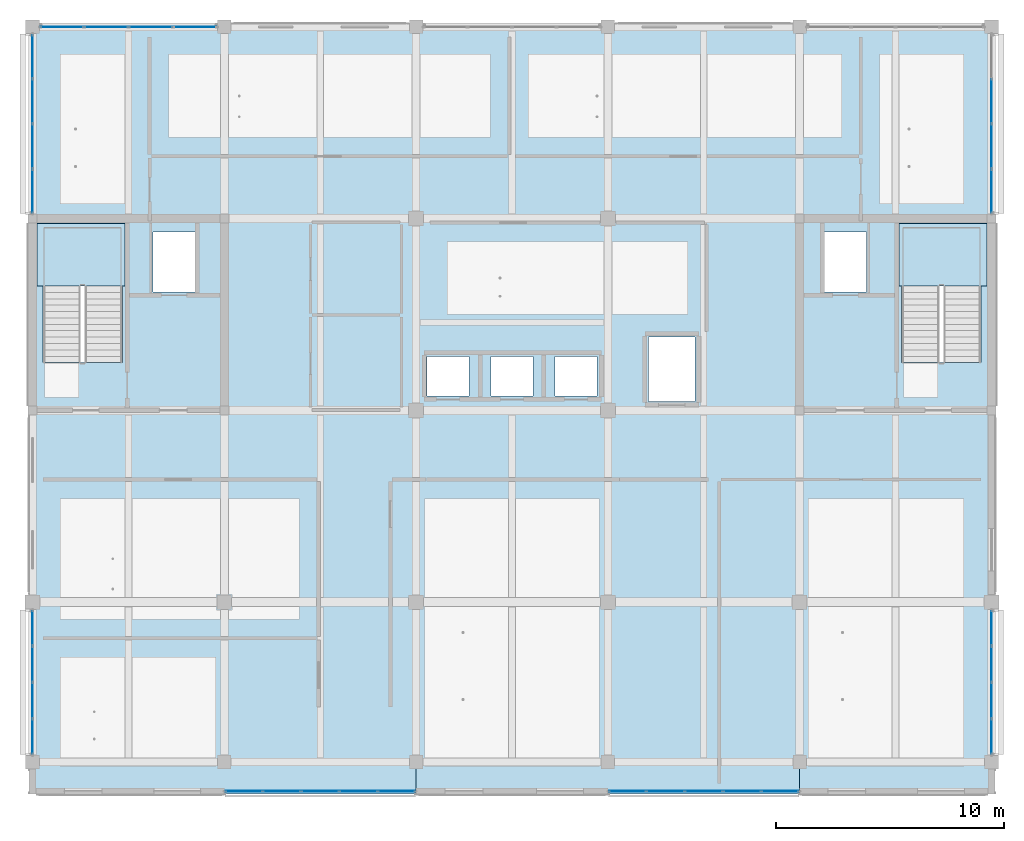
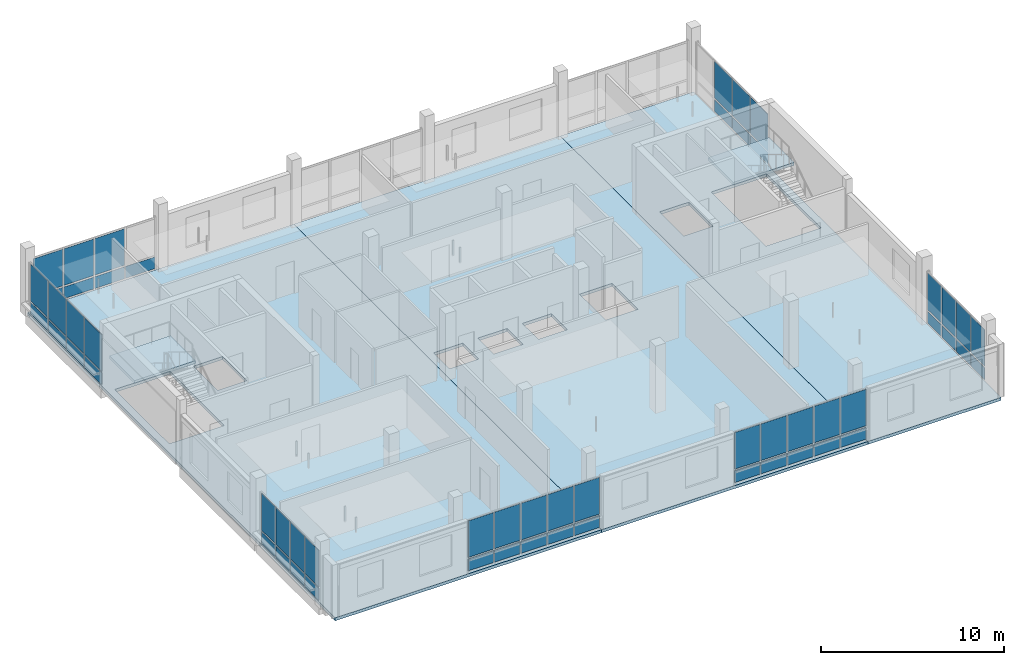
# One storey, part 10 of 30: 57 plates, 5 slabs, 9 elements without a shape of their own.
"""IFC4 building model written with IfcOpenShell, lengths in metres."""

from ifc_helpers import new_model, si_unit, direction, frame, origin, origin_2d, place, context, subcontext, project, spatial, polyline, rectangle, outline, extrude, material, layer, layer_set, type_object, element, aggregate, save


model = new_model("IFC4")

# Units and contexts
model_context = context("Model", 3, precision=1e-05, world=origin(), true_north=direction((0.0, 1.0)))
body_context = subcontext(model_context, "Body", "Model", "MODEL_VIEW")
ifc_project = project(units=[si_unit("LENGTHUNIT", "METRE"), si_unit("AREAUNIT", "SQUARE_METRE"), si_unit("VOLUMEUNIT", "CUBIC_METRE"), si_unit("PLANEANGLEUNIT", "RADIAN"), si_unit("MASSUNIT", "GRAM", prefix="KILO")], contexts=[model_context])

# Site, building, storey
site_placement = place(None, origin())
site = spatial("IfcSite", under=ifc_project, at=site_placement, CompositionType="ELEMENT")
building_placement = place(site_placement, origin())
building = spatial("IfcBuilding", under=site, at=building_placement, Name="Telukmera Botanical Conservatory", CompositionType="ELEMENT")
storey_placement = place(building_placement, frame((0.0, 0.0, 60.0)))
storey = spatial("IfcBuildingStorey", under=building, at=storey_placement, Name="L13", CompositionType="ELEMENT", Elevation=60.0)

# Stair, slab
ifc_material_1 = material(Name="Concrete C40/50", Category="concrete")
stair_type = type_object("IfcStairType", Name="ST-ESC-4500", PredefinedType="HALF_TURN_STAIR", material=ifc_material_1)
stair_1_placement = place(storey_placement, origin())
stair_1 = element("IfcStair", 1, at=stair_1_placement, inside=storey, type_object=stair_type, Name="L13 Protected Escape Stair ST1", PredefinedType="HALF_TURN_STAIR")
ifc_layer_1 = layer(ifc_material_1, 0.199951171875)
ifc_layer_set_1 = layer_set([ifc_layer_1], Name="Concrete C40/50")
slab_type_1 = type_object("IfcSlabType", Name="SL-LAND-200", PredefinedType="LANDING", material=ifc_layer_set_1)
slab_1_placement = place(storey_placement, frame((0.0, 0.0, 2.050048828125)))
slab_1 = element("IfcSlab", 2, at=slab_1_placement, type_object=slab_type_1, Name="ST1 landing 1", PredefinedType="LANDING", context=body_context, shape_type="SweptSolid", body=[
    extrude(outline(polyline([(59.0048828125, 31.449951171875), (62.844970703125, 31.449951171875), (62.844970703125, 34.195068359375), (59.0048828125, 34.195068359375), (59.0048828125, 31.449951171875)])), origin(), (0.0, 0.0, 1.0), 0.199951171875),
])
aggregate(stair_1, [slab_1])

stair_2_placement = place(storey_placement, origin())
stair_2 = element("IfcStair", 3, at=stair_2_placement, inside=storey, type_object=stair_type, Name="L13 Protected Escape Stair ST2", PredefinedType="HALF_TURN_STAIR")
slab_2_placement = place(storey_placement, frame((0.0, 0.0, 2.050048828125)))
slab_2 = element("IfcSlab", 4, at=slab_2_placement, type_object=slab_type_1, Name="ST2 landing 1", PredefinedType="LANDING", context=body_context, shape_type="SweptSolid", body=[
    extrude(outline(polyline([(96.7548828125, 31.449951171875), (100.594970703125, 31.449951171875), (100.594970703125, 34.195068359375), (96.7548828125, 34.195068359375), (96.7548828125, 31.449951171875)])), origin(), (0.0, 0.0, 1.0), 0.199951171875),
])
aggregate(stair_2, [slab_2])

# Slabs
ifc_layer_2 = layer(ifc_material_1, 0.199951171875)
ifc_layer_set_2 = layer_set([ifc_layer_2], Name="Concrete C40/50")
slab_type_2 = type_object("IfcSlabType", Name="Slab_FS20", PredefinedType="FLOOR", material=ifc_layer_set_2)
slab_3_placement = place(storey_placement, frame((0.0, 0.0, -0.199951171875)))
element("IfcSlab", 5, at=slab_3_placement, inside=storey, type_object=slab_type_2, Name="Tower Floor Slab L13 (WEST)", PredefinedType="FLOOR", context=body_context, shape_type="SweptSolid", body=[
    extrude(outline(polyline([(58.800048828125, 9.199951171875), (75.60009765625, 9.199951171875), (75.60009765625, 42.800048828125), (58.800048828125, 42.800048828125), (58.800048828125, 9.199951171875)]), holes=[polyline([(62.72998046875, 28.093017578125), (62.72998046875, 34.050048828125), (59.25, 34.050048828125), (59.25, 28.093017578125), (62.72998046875, 28.093017578125)]), polyline([(64.080078125, 31.179931640625), (65.919921875, 31.179931640625), (65.919921875, 33.820068359375), (64.080078125, 33.820068359375), (64.080078125, 31.179931640625)])]), origin(), (0.0, 0.0, 1.0), 0.199951171875),
])
slab_4_placement = place(storey_placement, frame((0.0, 0.0, -0.199951171875)))
element("IfcSlab", 6, at=slab_4_placement, inside=storey, type_object=slab_type_2, Name="Tower Floor Slab L13 (CENT)", PredefinedType="FLOOR", context=body_context, shape_type="SweptSolid", body=[
    extrude(outline(polyline([(75.60009765625, 9.199951171875), (92.39990234375, 9.199951171875), (92.39990234375, 42.800048828125), (75.60009765625, 42.800048828125), (75.60009765625, 9.199951171875)]), holes=[polyline([(85.780029296875, 26.3798828125), (87.820068359375, 26.3798828125), (87.820068359375, 29.219970703125), (85.780029296875, 29.219970703125), (85.780029296875, 26.3798828125)]), polyline([(76.080078125, 26.6298828125), (77.919921875, 26.6298828125), (77.919921875, 28.3701171875), (76.080078125, 28.3701171875), (76.080078125, 26.6298828125)]), polyline([(78.8798828125, 26.6298828125), (80.719970703125, 26.6298828125), (80.719970703125, 28.3701171875), (78.8798828125, 28.3701171875), (78.8798828125, 26.6298828125)]), polyline([(81.679931640625, 26.6298828125), (83.52001953125, 26.6298828125), (83.52001953125, 28.3701171875), (81.679931640625, 28.3701171875), (81.679931640625, 26.6298828125)])]), origin(), (0.0, 0.0, 1.0), 0.199951171875),
])
slab_5_placement = place(storey_placement, frame((0.0, 0.0, -0.199951171875)))
element("IfcSlab", 7, at=slab_5_placement, inside=storey, type_object=slab_type_2, Name="Tower Floor Slab L13 (EAST)", PredefinedType="FLOOR", context=body_context, shape_type="SweptSolid", body=[
    extrude(outline(polyline([(92.39990234375, 9.199951171875), (100.800048828125, 9.199951171875), (100.800048828125, 42.800048828125), (92.39990234375, 42.800048828125), (92.39990234375, 9.199951171875)]), holes=[polyline([(100.35009765625, 28.093017578125), (100.35009765625, 34.050048828125), (96.8701171875, 34.050048828125), (96.8701171875, 28.093017578125), (100.35009765625, 28.093017578125)]), polyline([(93.47998046875, 31.179931640625), (95.320068359375, 31.179931640625), (95.320068359375, 33.820068359375), (93.47998046875, 33.820068359375), (93.47998046875, 31.179931640625)])]), origin(), (0.0, 0.0, 1.0), 0.199951171875),
])

# Curtain wall, plates
ifc_material_2 = material(Name="Anodised aluminium 6063-T6", Category="aluminium")
ifc_layer_3 = layer(ifc_material_2, 0.179931640625)
ifc_layer_set_3 = layer_set([ifc_layer_3], Name="Anodised aluminium 6063-T6")
curtain_wall_type = type_object("IfcCurtainWallType", Name="Tower Research Laboratory Unitised Curtain Wall", PredefinedType="USERDEFINED", material=ifc_layer_set_3)
curtain_wall_1_placement = place(storey_placement, origin())
curtain_wall_1 = element("IfcCurtainWall", 8, at=curtain_wall_1_placement, inside=storey, type_object=curtain_wall_type, Name="Unitised Curtain Wall CW15 V4:L13:S2", ObjectType="UNITISED CURTAIN WALL", PredefinedType="USERDEFINED")
ifc_material_3 = material(Name="Spectrally selective low-E double glazing", Category="glass")
ifc_layer_4 = layer(ifc_material_3, 0.028076171875)
ifc_layer_set_4 = layer_set([ifc_layer_4], Name="Spectrally selective low-E double glazing")
plate_type = type_object("IfcPlateType", Name="Spectrally Selective Vision Double Glazing Panel 28", PredefinedType="CURTAIN_PANEL", material=ifc_layer_set_4)
plate_1_placement = place(storey_placement, frame((68.056640625, 9.320068359375, 0.10986328125), z_axis=(0.0, 0.0, 1.0), x_axis=(1.0, 0.0, 0.0)))
plate_1 = element("IfcPlate", 9, at=plate_1_placement, type_object=plate_type, Name="CW15 panel 1.1", PredefinedType="CURTAIN_PANEL", context=body_context, shape_type="SweptSolid", body=[
    extrude(rectangle(XDim=1.589111328125, YDim=0.028076171875, at=origin_2d()), origin(), (0.0, 0.0, 1.0), 0.784912109375),
])
plate_2_placement = place(storey_placement, frame((68.056640625, 9.320068359375, 1.0048828125), z_axis=(0.0, 0.0, 1.0), x_axis=(1.0, 0.0, 0.0)))
plate_2 = element("IfcPlate", 10, at=plate_2_placement, type_object=plate_type, Name="CW15 panel 1.2", PredefinedType="CURTAIN_PANEL", context=body_context, shape_type="SweptSolid", body=[
    extrude(rectangle(XDim=1.589111328125, YDim=0.028076171875, at=origin_2d()), origin(), (0.0, 0.0, 1.0), 2.43505859375),
])
plate_3_placement = place(storey_placement, frame((69.720703125, 9.320068359375, 0.10986328125), z_axis=(0.0, 0.0, 1.0), x_axis=(1.0, 0.0, 0.0)))
plate_3 = element("IfcPlate", 11, at=plate_3_placement, type_object=plate_type, Name="CW15 panel 2.1", PredefinedType="CURTAIN_PANEL", context=body_context, shape_type="SweptSolid", body=[
    extrude(rectangle(XDim=1.619140625, YDim=0.028076171875, at=origin_2d()), origin(), (0.0, 0.0, 1.0), 0.784912109375),
])
plate_4_placement = place(storey_placement, frame((69.720703125, 9.320068359375, 1.0048828125), z_axis=(0.0, 0.0, 1.0), x_axis=(1.0, 0.0, 0.0)))
plate_4 = element("IfcPlate", 12, at=plate_4_placement, type_object=plate_type, Name="CW15 panel 2.2", PredefinedType="CURTAIN_PANEL", context=body_context, shape_type="SweptSolid", body=[
    extrude(rectangle(XDim=1.619140625, YDim=0.028076171875, at=origin_2d()), origin(), (0.0, 0.0, 1.0), 2.43505859375),
])
plate_5_placement = place(storey_placement, frame((71.39990234375, 9.320068359375, 0.10986328125), z_axis=(0.0, 0.0, 1.0), x_axis=(1.0, 0.0, 0.0)))
plate_5 = element("IfcPlate", 13, at=plate_5_placement, type_object=plate_type, Name="CW15 panel 3.1", PredefinedType="CURTAIN_PANEL", context=body_context, shape_type="SweptSolid", body=[
    extrude(rectangle(XDim=1.619140625, YDim=0.028076171875, at=origin_2d()), origin(), (0.0, 0.0, 1.0), 0.784912109375),
])
plate_6_placement = place(storey_placement, frame((71.39990234375, 9.320068359375, 1.0048828125), z_axis=(0.0, 0.0, 1.0), x_axis=(1.0, 0.0, 0.0)))
plate_6 = element("IfcPlate", 14, at=plate_6_placement, type_object=plate_type, Name="CW15 panel 3.2", PredefinedType="CURTAIN_PANEL", context=body_context, shape_type="SweptSolid", body=[
    extrude(rectangle(XDim=1.619140625, YDim=0.028076171875, at=origin_2d()), origin(), (0.0, 0.0, 1.0), 2.43505859375),
])
plate_7_placement = place(storey_placement, frame((73.0791015625, 9.320068359375, 0.10986328125), z_axis=(0.0, 0.0, 1.0), x_axis=(1.0, 0.0, 0.0)))
plate_7 = element("IfcPlate", 15, at=plate_7_placement, type_object=plate_type, Name="CW15 panel 4.1", PredefinedType="CURTAIN_PANEL", context=body_context, shape_type="SweptSolid", body=[
    extrude(rectangle(XDim=1.619140625, YDim=0.028076171875, at=origin_2d()), origin(), (0.0, 0.0, 1.0), 0.784912109375),
])
plate_8_placement = place(storey_placement, frame((73.0791015625, 9.320068359375, 1.0048828125), z_axis=(0.0, 0.0, 1.0), x_axis=(1.0, 0.0, 0.0)))
plate_8 = element("IfcPlate", 16, at=plate_8_placement, type_object=plate_type, Name="CW15 panel 4.2", PredefinedType="CURTAIN_PANEL", context=body_context, shape_type="SweptSolid", body=[
    extrude(rectangle(XDim=1.619140625, YDim=0.028076171875, at=origin_2d()), origin(), (0.0, 0.0, 1.0), 2.43505859375),
])
plate_9_placement = place(storey_placement, frame((74.743408203125, 9.320068359375, 0.10986328125), z_axis=(0.0, 0.0, 1.0), x_axis=(1.0, 0.0, 0.0)))
plate_9 = element("IfcPlate", 17, at=plate_9_placement, type_object=plate_type, Name="CW15 panel 5.1", PredefinedType="CURTAIN_PANEL", context=body_context, shape_type="SweptSolid", body=[
    extrude(rectangle(XDim=1.589111328125, YDim=0.028076171875, at=origin_2d()), origin(), (0.0, 0.0, 1.0), 0.784912109375),
])
plate_10_placement = place(storey_placement, frame((74.743408203125, 9.320068359375, 1.0048828125), z_axis=(0.0, 0.0, 1.0), x_axis=(1.0, 0.0, 0.0)))
plate_10 = element("IfcPlate", 18, at=plate_10_placement, type_object=plate_type, Name="CW15 panel 5.2", PredefinedType="CURTAIN_PANEL", context=body_context, shape_type="SweptSolid", body=[
    extrude(rectangle(XDim=1.589111328125, YDim=0.028076171875, at=origin_2d()), origin(), (0.0, 0.0, 1.0), 2.43505859375),
])
aggregate(curtain_wall_1, [plate_1, plate_2, plate_3, plate_4, plate_5, plate_6, plate_7, plate_8, plate_9, plate_10])

curtain_wall_2_placement = place(storey_placement, origin())
curtain_wall_2 = element("IfcCurtainWall", 19, at=curtain_wall_2_placement, inside=storey, type_object=curtain_wall_type, Name="Unitised Curtain Wall CW15 V4:L13:S4", ObjectType="UNITISED CURTAIN WALL", PredefinedType="USERDEFINED")
plate_11_placement = place(storey_placement, frame((84.856689453125, 9.320068359375, 0.10986328125), z_axis=(0.0, 0.0, 1.0), x_axis=(1.0, 0.0, 0.0)))
plate_11 = element("IfcPlate", 20, at=plate_11_placement, type_object=plate_type, Name="CW15 panel 1.1", PredefinedType="CURTAIN_PANEL", context=body_context, shape_type="SweptSolid", body=[
    extrude(rectangle(XDim=1.589111328125, YDim=0.028076171875, at=origin_2d()), origin(), (0.0, 0.0, 1.0), 0.784912109375),
])
plate_12_placement = place(storey_placement, frame((84.856689453125, 9.320068359375, 1.0048828125), z_axis=(0.0, 0.0, 1.0), x_axis=(1.0, 0.0, 0.0)))
plate_12 = element("IfcPlate", 21, at=plate_12_placement, type_object=plate_type, Name="CW15 panel 1.2", PredefinedType="CURTAIN_PANEL", context=body_context, shape_type="SweptSolid", body=[
    extrude(rectangle(XDim=1.589111328125, YDim=0.028076171875, at=origin_2d()), origin(), (0.0, 0.0, 1.0), 2.43505859375),
])
plate_13_placement = place(storey_placement, frame((86.520751953125, 9.320068359375, 0.10986328125), z_axis=(0.0, 0.0, 1.0), x_axis=(1.0, 0.0, 0.0)))
plate_13 = element("IfcPlate", 22, at=plate_13_placement, type_object=plate_type, Name="CW15 panel 2.1", PredefinedType="CURTAIN_PANEL", context=body_context, shape_type="SweptSolid", body=[
    extrude(rectangle(XDim=1.619140625, YDim=0.028076171875, at=origin_2d()), origin(), (0.0, 0.0, 1.0), 0.784912109375),
])
plate_14_placement = place(storey_placement, frame((86.520751953125, 9.320068359375, 1.0048828125), z_axis=(0.0, 0.0, 1.0), x_axis=(1.0, 0.0, 0.0)))
plate_14 = element("IfcPlate", 23, at=plate_14_placement, type_object=plate_type, Name="CW15 panel 2.2", PredefinedType="CURTAIN_PANEL", context=body_context, shape_type="SweptSolid", body=[
    extrude(rectangle(XDim=1.619140625, YDim=0.028076171875, at=origin_2d()), origin(), (0.0, 0.0, 1.0), 2.43505859375),
])
plate_15_placement = place(storey_placement, frame((88.199951171875, 9.320068359375, 0.10986328125), z_axis=(0.0, 0.0, 1.0), x_axis=(1.0, 0.0, 0.0)))
plate_15 = element("IfcPlate", 24, at=plate_15_placement, type_object=plate_type, Name="CW15 panel 3.1", PredefinedType="CURTAIN_PANEL", context=body_context, shape_type="SweptSolid", body=[
    extrude(rectangle(XDim=1.619140625, YDim=0.028076171875, at=origin_2d()), origin(), (0.0, 0.0, 1.0), 0.784912109375),
])
plate_16_placement = place(storey_placement, frame((88.199951171875, 9.320068359375, 1.0048828125), z_axis=(0.0, 0.0, 1.0), x_axis=(1.0, 0.0, 0.0)))
plate_16 = element("IfcPlate", 25, at=plate_16_placement, type_object=plate_type, Name="CW15 panel 3.2", PredefinedType="CURTAIN_PANEL", context=body_context, shape_type="SweptSolid", body=[
    extrude(rectangle(XDim=1.619140625, YDim=0.028076171875, at=origin_2d()), origin(), (0.0, 0.0, 1.0), 2.43505859375),
])
plate_17_placement = place(storey_placement, frame((89.879150390625, 9.320068359375, 0.10986328125), z_axis=(0.0, 0.0, 1.0), x_axis=(1.0, 0.0, 0.0)))
plate_17 = element("IfcPlate", 26, at=plate_17_placement, type_object=plate_type, Name="CW15 panel 4.1", PredefinedType="CURTAIN_PANEL", context=body_context, shape_type="SweptSolid", body=[
    extrude(rectangle(XDim=1.619140625, YDim=0.028076171875, at=origin_2d()), origin(), (0.0, 0.0, 1.0), 0.784912109375),
])
plate_18_placement = place(storey_placement, frame((89.879150390625, 9.320068359375, 1.0048828125), z_axis=(0.0, 0.0, 1.0), x_axis=(1.0, 0.0, 0.0)))
plate_18 = element("IfcPlate", 27, at=plate_18_placement, type_object=plate_type, Name="CW15 panel 4.2", PredefinedType="CURTAIN_PANEL", context=body_context, shape_type="SweptSolid", body=[
    extrude(rectangle(XDim=1.619140625, YDim=0.028076171875, at=origin_2d()), origin(), (0.0, 0.0, 1.0), 2.43505859375),
])
plate_19_placement = place(storey_placement, frame((91.54345703125, 9.320068359375, 0.10986328125), z_axis=(0.0, 0.0, 1.0), x_axis=(1.0, 0.0, 0.0)))
plate_19 = element("IfcPlate", 28, at=plate_19_placement, type_object=plate_type, Name="CW15 panel 5.1", PredefinedType="CURTAIN_PANEL", context=body_context, shape_type="SweptSolid", body=[
    extrude(rectangle(XDim=1.589111328125, YDim=0.028076171875, at=origin_2d()), origin(), (0.0, 0.0, 1.0), 0.784912109375),
])
plate_20_placement = place(storey_placement, frame((91.54345703125, 9.320068359375, 1.0048828125), z_axis=(0.0, 0.0, 1.0), x_axis=(1.0, 0.0, 0.0)))
plate_20 = element("IfcPlate", 29, at=plate_20_placement, type_object=plate_type, Name="CW15 panel 5.2", PredefinedType="CURTAIN_PANEL", context=body_context, shape_type="SweptSolid", body=[
    extrude(rectangle(XDim=1.589111328125, YDim=0.028076171875, at=origin_2d()), origin(), (0.0, 0.0, 1.0), 2.43505859375),
])
aggregate(curtain_wall_2, [plate_11, plate_12, plate_13, plate_14, plate_15, plate_16, plate_17, plate_18, plate_19, plate_20])

curtain_wall_3_placement = place(storey_placement, origin())
curtain_wall_3 = element("IfcCurtainWall", 30, at=curtain_wall_3_placement, inside=storey, type_object=curtain_wall_type, Name="Unitised Curtain Wall CW15 V4:L13:N1", ObjectType="UNITISED CURTAIN WALL", PredefinedType="USERDEFINED")
plate_21_placement = place(storey_placement, frame((60.091552734375, 42.800048828125, 0.10986328125), z_axis=(0.0, 0.0, 1.0), x_axis=(1.0, 0.0, 0.0)))
plate_21 = element("IfcPlate", 31, at=plate_21_placement, type_object=plate_type, Name="CW15 panel 1.1", PredefinedType="CURTAIN_PANEL", context=body_context, shape_type="SweptSolid", body=[
    extrude(rectangle(XDim=1.85888671875, YDim=0.028076171875, at=origin_2d()), origin(), (0.0, 0.0, 1.0), 0.784912109375),
])
plate_22_placement = place(storey_placement, frame((60.091552734375, 42.800048828125, 1.0048828125), z_axis=(0.0, 0.0, 1.0), x_axis=(1.0, 0.0, 0.0)))
plate_22 = element("IfcPlate", 32, at=plate_22_placement, type_object=plate_type, Name="CW15 panel 1.2", PredefinedType="CURTAIN_PANEL", context=body_context, shape_type="SweptSolid", body=[
    extrude(rectangle(XDim=1.85888671875, YDim=0.028076171875, at=origin_2d()), origin(), (0.0, 0.0, 1.0), 2.43505859375),
])
plate_23_placement = place(storey_placement, frame((62.025390625, 42.800048828125, 0.10986328125), z_axis=(0.0, 0.0, 1.0), x_axis=(1.0, 0.0, 0.0)))
plate_23 = element("IfcPlate", 33, at=plate_23_placement, type_object=plate_type, Name="CW15 panel 2.1", PredefinedType="CURTAIN_PANEL", context=body_context, shape_type="SweptSolid", body=[
    extrude(rectangle(XDim=1.888916015625, YDim=0.028076171875, at=origin_2d()), origin(), (0.0, 0.0, 1.0), 0.784912109375),
])
plate_24_placement = place(storey_placement, frame((62.025390625, 42.800048828125, 1.0048828125), z_axis=(0.0, 0.0, 1.0), x_axis=(1.0, 0.0, 0.0)))
plate_24 = element("IfcPlate", 34, at=plate_24_placement, type_object=plate_type, Name="CW15 panel 2.2", PredefinedType="CURTAIN_PANEL", context=body_context, shape_type="SweptSolid", body=[
    extrude(rectangle(XDim=1.888916015625, YDim=0.028076171875, at=origin_2d()), origin(), (0.0, 0.0, 1.0), 2.43505859375),
])
plate_25_placement = place(storey_placement, frame((63.974609375, 42.800048828125, 0.10986328125), z_axis=(0.0, 0.0, 1.0), x_axis=(1.0, 0.0, 0.0)))
plate_25 = element("IfcPlate", 35, at=plate_25_placement, type_object=plate_type, Name="CW15 panel 3.1", PredefinedType="CURTAIN_PANEL", context=body_context, shape_type="SweptSolid", body=[
    extrude(rectangle(XDim=1.888916015625, YDim=0.028076171875, at=origin_2d()), origin(), (0.0, 0.0, 1.0), 0.784912109375),
])
plate_26_placement = place(storey_placement, frame((63.974609375, 42.800048828125, 1.0048828125), z_axis=(0.0, 0.0, 1.0), x_axis=(1.0, 0.0, 0.0)))
plate_26 = element("IfcPlate", 36, at=plate_26_placement, type_object=plate_type, Name="CW15 panel 3.2", PredefinedType="CURTAIN_PANEL", context=body_context, shape_type="SweptSolid", body=[
    extrude(rectangle(XDim=1.888916015625, YDim=0.028076171875, at=origin_2d()), origin(), (0.0, 0.0, 1.0), 2.43505859375),
])
plate_27_placement = place(storey_placement, frame((65.908447265625, 42.800048828125, 0.10986328125), z_axis=(0.0, 0.0, 1.0), x_axis=(1.0, 0.0, 0.0)))
plate_27 = element("IfcPlate", 37, at=plate_27_placement, type_object=plate_type, Name="CW15 panel 4.1", PredefinedType="CURTAIN_PANEL", context=body_context, shape_type="SweptSolid", body=[
    extrude(rectangle(XDim=1.85888671875, YDim=0.028076171875, at=origin_2d()), origin(), (0.0, 0.0, 1.0), 0.784912109375),
])
aggregate(curtain_wall_3, [plate_21, plate_22, plate_23, plate_24, plate_25, plate_26, plate_27])

curtain_wall_4_placement = place(storey_placement, origin())
curtain_wall_4 = element("IfcCurtainWall", 38, at=curtain_wall_4_placement, inside=storey, type_object=curtain_wall_type, Name="Unitised Curtain Wall CW15 V4:L13:W1", ObjectType="UNITISED CURTAIN WALL", PredefinedType="USERDEFINED")
plate_28_placement = place(storey_placement, frame((58.800048828125, 11.71337890625, 0.10986328125), z_axis=(0.0, 0.0, 1.0), x_axis=(0.0, 1.0, 0.0)))
plate_28 = element("IfcPlate", 39, at=plate_28_placement, type_object=plate_type, Name="CW15 panel 1.1", PredefinedType="CURTAIN_PANEL", context=body_context, shape_type="SweptSolid", body=[
    extrude(rectangle(XDim=1.502685546875, YDim=0.028076171875, at=origin_2d()), origin(), (0.0, 0.0, 1.0), 0.784912109375),
])
plate_29_placement = place(storey_placement, frame((58.800048828125, 11.71337890625, 1.0048828125), z_axis=(0.0, 0.0, 1.0), x_axis=(0.0, 1.0, 0.0)))
plate_29 = element("IfcPlate", 40, at=plate_29_placement, type_object=plate_type, Name="CW15 panel 1.2", PredefinedType="CURTAIN_PANEL", context=body_context, shape_type="SweptSolid", body=[
    extrude(rectangle(XDim=1.502685546875, YDim=0.028076171875, at=origin_2d()), origin(), (0.0, 0.0, 1.0), 2.43505859375),
])
plate_30_placement = place(storey_placement, frame((58.800048828125, 13.291015625, 0.10986328125), z_axis=(0.0, 0.0, 1.0), x_axis=(0.0, 1.0, 0.0)))
plate_30 = element("IfcPlate", 41, at=plate_30_placement, type_object=plate_type, Name="CW15 panel 2.1", PredefinedType="CURTAIN_PANEL", context=body_context, shape_type="SweptSolid", body=[
    extrude(rectangle(XDim=1.53271484375, YDim=0.028076171875, at=origin_2d()), origin(), (0.0, 0.0, 1.0), 0.784912109375),
])
plate_31_placement = place(storey_placement, frame((58.800048828125, 13.291015625, 1.0048828125), z_axis=(0.0, 0.0, 1.0), x_axis=(0.0, 1.0, 0.0)))
plate_31 = element("IfcPlate", 42, at=plate_31_placement, type_object=plate_type, Name="CW15 panel 2.2", PredefinedType="CURTAIN_PANEL", context=body_context, shape_type="SweptSolid", body=[
    extrude(rectangle(XDim=1.53271484375, YDim=0.028076171875, at=origin_2d()), origin(), (0.0, 0.0, 1.0), 2.43505859375),
])
plate_32_placement = place(storey_placement, frame((58.800048828125, 14.8837890625, 0.10986328125), z_axis=(0.0, 0.0, 1.0), x_axis=(0.0, 1.0, 0.0)))
plate_32 = element("IfcPlate", 43, at=plate_32_placement, type_object=plate_type, Name="CW15 panel 3.1", PredefinedType="CURTAIN_PANEL", context=body_context, shape_type="SweptSolid", body=[
    extrude(rectangle(XDim=1.53271484375, YDim=0.028076171875, at=origin_2d()), origin(), (0.0, 0.0, 1.0), 0.784912109375),
])
plate_33_placement = place(storey_placement, frame((58.800048828125, 14.8837890625, 1.0048828125), z_axis=(0.0, 0.0, 1.0), x_axis=(0.0, 1.0, 0.0)))
plate_33 = element("IfcPlate", 44, at=plate_33_placement, type_object=plate_type, Name="CW15 panel 3.2", PredefinedType="CURTAIN_PANEL", context=body_context, shape_type="SweptSolid", body=[
    extrude(rectangle(XDim=1.53271484375, YDim=0.028076171875, at=origin_2d()), origin(), (0.0, 0.0, 1.0), 2.43505859375),
])
plate_34_placement = place(storey_placement, frame((58.800048828125, 16.461669921875, 0.10986328125), z_axis=(0.0, 0.0, 1.0), x_axis=(0.0, 1.0, 0.0)))
plate_34 = element("IfcPlate", 45, at=plate_34_placement, type_object=plate_type, Name="CW15 panel 4.1", PredefinedType="CURTAIN_PANEL", context=body_context, shape_type="SweptSolid", body=[
    extrude(rectangle(XDim=1.502685546875, YDim=0.028076171875, at=origin_2d()), origin(), (0.0, 0.0, 1.0), 0.784912109375),
])
plate_35_placement = place(storey_placement, frame((58.800048828125, 16.461669921875, 1.0048828125), z_axis=(0.0, 0.0, 1.0), x_axis=(0.0, 1.0, 0.0)))
plate_35 = element("IfcPlate", 46, at=plate_35_placement, type_object=plate_type, Name="CW15 panel 4.2", PredefinedType="CURTAIN_PANEL", context=body_context, shape_type="SweptSolid", body=[
    extrude(rectangle(XDim=1.502685546875, YDim=0.028076171875, at=origin_2d()), origin(), (0.0, 0.0, 1.0), 2.43505859375),
])
aggregate(curtain_wall_4, [plate_28, plate_29, plate_30, plate_31, plate_32, plate_33, plate_34, plate_35])

curtain_wall_5_placement = place(storey_placement, origin())
curtain_wall_5 = element("IfcCurtainWall", 47, at=curtain_wall_5_placement, inside=storey, type_object=curtain_wall_type, Name="Unitised Curtain Wall CW15 V4:L13:E1", ObjectType="UNITISED CURTAIN WALL", PredefinedType="USERDEFINED")
plate_36_placement = place(storey_placement, frame((100.800048828125, 11.71337890625, 0.10986328125), z_axis=(0.0, 0.0, 1.0), x_axis=(0.0, 1.0, 0.0)))
plate_36 = element("IfcPlate", 48, at=plate_36_placement, type_object=plate_type, Name="CW15 panel 1.1", PredefinedType="CURTAIN_PANEL", context=body_context, shape_type="SweptSolid", body=[
    extrude(rectangle(XDim=1.502685546875, YDim=0.028076171875, at=origin_2d()), origin(), (0.0, 0.0, 1.0), 0.784912109375),
])
plate_37_placement = place(storey_placement, frame((100.800048828125, 11.71337890625, 1.0048828125), z_axis=(0.0, 0.0, 1.0), x_axis=(0.0, 1.0, 0.0)))
plate_37 = element("IfcPlate", 49, at=plate_37_placement, type_object=plate_type, Name="CW15 panel 1.2", PredefinedType="CURTAIN_PANEL", context=body_context, shape_type="SweptSolid", body=[
    extrude(rectangle(XDim=1.502685546875, YDim=0.028076171875, at=origin_2d()), origin(), (0.0, 0.0, 1.0), 2.43505859375),
])
plate_38_placement = place(storey_placement, frame((100.800048828125, 13.291015625, 0.10986328125), z_axis=(0.0, 0.0, 1.0), x_axis=(0.0, 1.0, 0.0)))
plate_38 = element("IfcPlate", 50, at=plate_38_placement, type_object=plate_type, Name="CW15 panel 2.1", PredefinedType="CURTAIN_PANEL", context=body_context, shape_type="SweptSolid", body=[
    extrude(rectangle(XDim=1.53271484375, YDim=0.028076171875, at=origin_2d()), origin(), (0.0, 0.0, 1.0), 0.784912109375),
])
plate_39_placement = place(storey_placement, frame((100.800048828125, 13.291015625, 1.0048828125), z_axis=(0.0, 0.0, 1.0), x_axis=(0.0, 1.0, 0.0)))
plate_39 = element("IfcPlate", 51, at=plate_39_placement, type_object=plate_type, Name="CW15 panel 2.2", PredefinedType="CURTAIN_PANEL", context=body_context, shape_type="SweptSolid", body=[
    extrude(rectangle(XDim=1.53271484375, YDim=0.028076171875, at=origin_2d()), origin(), (0.0, 0.0, 1.0), 2.43505859375),
])
plate_40_placement = place(storey_placement, frame((100.800048828125, 14.8837890625, 0.10986328125), z_axis=(0.0, 0.0, 1.0), x_axis=(0.0, 1.0, 0.0)))
plate_40 = element("IfcPlate", 52, at=plate_40_placement, type_object=plate_type, Name="CW15 panel 3.1", PredefinedType="CURTAIN_PANEL", context=body_context, shape_type="SweptSolid", body=[
    extrude(rectangle(XDim=1.53271484375, YDim=0.028076171875, at=origin_2d()), origin(), (0.0, 0.0, 1.0), 0.784912109375),
])
plate_41_placement = place(storey_placement, frame((100.800048828125, 14.8837890625, 1.0048828125), z_axis=(0.0, 0.0, 1.0), x_axis=(0.0, 1.0, 0.0)))
plate_41 = element("IfcPlate", 53, at=plate_41_placement, type_object=plate_type, Name="CW15 panel 3.2", PredefinedType="CURTAIN_PANEL", context=body_context, shape_type="SweptSolid", body=[
    extrude(rectangle(XDim=1.53271484375, YDim=0.028076171875, at=origin_2d()), origin(), (0.0, 0.0, 1.0), 2.43505859375),
])
plate_42_placement = place(storey_placement, frame((100.800048828125, 16.461669921875, 0.10986328125), z_axis=(0.0, 0.0, 1.0), x_axis=(0.0, 1.0, 0.0)))
plate_42 = element("IfcPlate", 54, at=plate_42_placement, type_object=plate_type, Name="CW15 panel 4.1", PredefinedType="CURTAIN_PANEL", context=body_context, shape_type="SweptSolid", body=[
    extrude(rectangle(XDim=1.502685546875, YDim=0.028076171875, at=origin_2d()), origin(), (0.0, 0.0, 1.0), 0.784912109375),
])
plate_43_placement = place(storey_placement, frame((100.800048828125, 16.461669921875, 1.0048828125), z_axis=(0.0, 0.0, 1.0), x_axis=(0.0, 1.0, 0.0)))
plate_43 = element("IfcPlate", 55, at=plate_43_placement, type_object=plate_type, Name="CW15 panel 4.2", PredefinedType="CURTAIN_PANEL", context=body_context, shape_type="SweptSolid", body=[
    extrude(rectangle(XDim=1.502685546875, YDim=0.028076171875, at=origin_2d()), origin(), (0.0, 0.0, 1.0), 2.43505859375),
])
aggregate(curtain_wall_5, [plate_36, plate_37, plate_38, plate_39, plate_40, plate_41, plate_42, plate_43])

curtain_wall_6_placement = place(storey_placement, origin())
curtain_wall_6 = element("IfcCurtainWall", 56, at=curtain_wall_6_placement, inside=storey, type_object=curtain_wall_type, Name="Unitised Curtain Wall CW15 V4:L13:W4", ObjectType="UNITISED CURTAIN WALL", PredefinedType="USERDEFINED")
plate_44_placement = place(storey_placement, frame((58.800048828125, 35.60400390625, 0.10986328125), z_axis=(0.0, 0.0, 1.0), x_axis=(0.0, 1.0, 0.0)))
plate_44 = element("IfcPlate", 57, at=plate_44_placement, type_object=plate_type, Name="CW15 panel 1.1", PredefinedType="CURTAIN_PANEL", context=body_context, shape_type="SweptSolid", body=[
    extrude(rectangle(XDim=1.884033203125, YDim=0.028076171875, at=origin_2d()), origin(), (0.0, 0.0, 1.0), 0.784912109375),
])
plate_45_placement = place(storey_placement, frame((58.800048828125, 35.60400390625, 1.0048828125), z_axis=(0.0, 0.0, 1.0), x_axis=(0.0, 1.0, 0.0)))
plate_45 = element("IfcPlate", 58, at=plate_45_placement, type_object=plate_type, Name="CW15 panel 1.2", PredefinedType="CURTAIN_PANEL", context=body_context, shape_type="SweptSolid", body=[
    extrude(rectangle(XDim=1.884033203125, YDim=0.028076171875, at=origin_2d()), origin(), (0.0, 0.0, 1.0), 2.43505859375),
])
plate_46_placement = place(storey_placement, frame((58.800048828125, 37.56298828125, 0.10986328125), z_axis=(0.0, 0.0, 1.0), x_axis=(0.0, 1.0, 0.0)))
plate_46 = element("IfcPlate", 59, at=plate_46_placement, type_object=plate_type, Name="CW15 panel 2.1", PredefinedType="CURTAIN_PANEL", context=body_context, shape_type="SweptSolid", body=[
    extrude(rectangle(XDim=1.9140625, YDim=0.028076171875, at=origin_2d()), origin(), (0.0, 0.0, 1.0), 0.784912109375),
])
plate_47_placement = place(storey_placement, frame((58.800048828125, 37.56298828125, 1.0048828125), z_axis=(0.0, 0.0, 1.0), x_axis=(0.0, 1.0, 0.0)))
plate_47 = element("IfcPlate", 60, at=plate_47_placement, type_object=plate_type, Name="CW15 panel 2.2", PredefinedType="CURTAIN_PANEL", context=body_context, shape_type="SweptSolid", body=[
    extrude(rectangle(XDim=1.9140625, YDim=0.028076171875, at=origin_2d()), origin(), (0.0, 0.0, 1.0), 2.43505859375),
])
plate_48_placement = place(storey_placement, frame((58.800048828125, 39.537109375, 0.10986328125), z_axis=(0.0, 0.0, 1.0), x_axis=(0.0, 1.0, 0.0)))
plate_48 = element("IfcPlate", 61, at=plate_48_placement, type_object=plate_type, Name="CW15 panel 3.1", PredefinedType="CURTAIN_PANEL", context=body_context, shape_type="SweptSolid", body=[
    extrude(rectangle(XDim=1.9140625, YDim=0.028076171875, at=origin_2d()), origin(), (0.0, 0.0, 1.0), 0.784912109375),
])
plate_49_placement = place(storey_placement, frame((58.800048828125, 39.537109375, 1.0048828125), z_axis=(0.0, 0.0, 1.0), x_axis=(0.0, 1.0, 0.0)))
plate_49 = element("IfcPlate", 62, at=plate_49_placement, type_object=plate_type, Name="CW15 panel 3.2", PredefinedType="CURTAIN_PANEL", context=body_context, shape_type="SweptSolid", body=[
    extrude(rectangle(XDim=1.9140625, YDim=0.028076171875, at=origin_2d()), origin(), (0.0, 0.0, 1.0), 2.43505859375),
])
plate_50_placement = place(storey_placement, frame((58.800048828125, 41.49609375, 0.10986328125), z_axis=(0.0, 0.0, 1.0), x_axis=(0.0, 1.0, 0.0)))
plate_50 = element("IfcPlate", 63, at=plate_50_placement, type_object=plate_type, Name="CW15 panel 4.1", PredefinedType="CURTAIN_PANEL", context=body_context, shape_type="SweptSolid", body=[
    extrude(rectangle(XDim=1.884033203125, YDim=0.028076171875, at=origin_2d()), origin(), (0.0, 0.0, 1.0), 0.784912109375),
])
plate_51_placement = place(storey_placement, frame((58.800048828125, 41.49609375, 1.0048828125), z_axis=(0.0, 0.0, 1.0), x_axis=(0.0, 1.0, 0.0)))
plate_51 = element("IfcPlate", 64, at=plate_51_placement, type_object=plate_type, Name="CW15 panel 4.2", PredefinedType="CURTAIN_PANEL", context=body_context, shape_type="SweptSolid", body=[
    extrude(rectangle(XDim=1.884033203125, YDim=0.028076171875, at=origin_2d()), origin(), (0.0, 0.0, 1.0), 2.43505859375),
])
aggregate(curtain_wall_6, [plate_44, plate_45, plate_46, plate_47, plate_48, plate_49, plate_50, plate_51])

curtain_wall_7_placement = place(storey_placement, origin())
curtain_wall_7 = element("IfcCurtainWall", 65, at=curtain_wall_7_placement, inside=storey, type_object=curtain_wall_type, Name="Unitised Curtain Wall CW15 V4:L13:E4", ObjectType="UNITISED CURTAIN WALL", PredefinedType="USERDEFINED")
plate_52_placement = place(storey_placement, frame((100.800048828125, 35.60400390625, 0.10986328125), z_axis=(0.0, 0.0, 1.0), x_axis=(0.0, 1.0, 0.0)))
plate_52 = element("IfcPlate", 66, at=plate_52_placement, type_object=plate_type, Name="CW15 panel 1.1", PredefinedType="CURTAIN_PANEL", context=body_context, shape_type="SweptSolid", body=[
    extrude(rectangle(XDim=1.884033203125, YDim=0.028076171875, at=origin_2d()), origin(), (0.0, 0.0, 1.0), 0.784912109375),
])
plate_53_placement = place(storey_placement, frame((100.800048828125, 35.60400390625, 1.0048828125), z_axis=(0.0, 0.0, 1.0), x_axis=(0.0, 1.0, 0.0)))
plate_53 = element("IfcPlate", 67, at=plate_53_placement, type_object=plate_type, Name="CW15 panel 1.2", PredefinedType="CURTAIN_PANEL", context=body_context, shape_type="SweptSolid", body=[
    extrude(rectangle(XDim=1.884033203125, YDim=0.028076171875, at=origin_2d()), origin(), (0.0, 0.0, 1.0), 2.43505859375),
])
plate_54_placement = place(storey_placement, frame((100.800048828125, 37.56298828125, 0.10986328125), z_axis=(0.0, 0.0, 1.0), x_axis=(0.0, 1.0, 0.0)))
plate_54 = element("IfcPlate", 68, at=plate_54_placement, type_object=plate_type, Name="CW15 panel 2.1", PredefinedType="CURTAIN_PANEL", context=body_context, shape_type="SweptSolid", body=[
    extrude(rectangle(XDim=1.9140625, YDim=0.028076171875, at=origin_2d()), origin(), (0.0, 0.0, 1.0), 0.784912109375),
])
plate_55_placement = place(storey_placement, frame((100.800048828125, 37.56298828125, 1.0048828125), z_axis=(0.0, 0.0, 1.0), x_axis=(0.0, 1.0, 0.0)))
plate_55 = element("IfcPlate", 69, at=plate_55_placement, type_object=plate_type, Name="CW15 panel 2.2", PredefinedType="CURTAIN_PANEL", context=body_context, shape_type="SweptSolid", body=[
    extrude(rectangle(XDim=1.9140625, YDim=0.028076171875, at=origin_2d()), origin(), (0.0, 0.0, 1.0), 2.43505859375),
])
plate_56_placement = place(storey_placement, frame((100.800048828125, 39.537109375, 0.10986328125), z_axis=(0.0, 0.0, 1.0), x_axis=(0.0, 1.0, 0.0)))
plate_56 = element("IfcPlate", 70, at=plate_56_placement, type_object=plate_type, Name="CW15 panel 3.1", PredefinedType="CURTAIN_PANEL", context=body_context, shape_type="SweptSolid", body=[
    extrude(rectangle(XDim=1.9140625, YDim=0.028076171875, at=origin_2d()), origin(), (0.0, 0.0, 1.0), 0.784912109375),
])
plate_57_placement = place(storey_placement, frame((100.800048828125, 39.537109375, 1.0048828125), z_axis=(0.0, 0.0, 1.0), x_axis=(0.0, 1.0, 0.0)))
plate_57 = element("IfcPlate", 71, at=plate_57_placement, type_object=plate_type, Name="CW15 panel 3.2", PredefinedType="CURTAIN_PANEL", context=body_context, shape_type="SweptSolid", body=[
    extrude(rectangle(XDim=1.9140625, YDim=0.028076171875, at=origin_2d()), origin(), (0.0, 0.0, 1.0), 2.43505859375),
])
aggregate(curtain_wall_7, [plate_52, plate_53, plate_54, plate_55, plate_56, plate_57])

save(model, "model.ifc")
